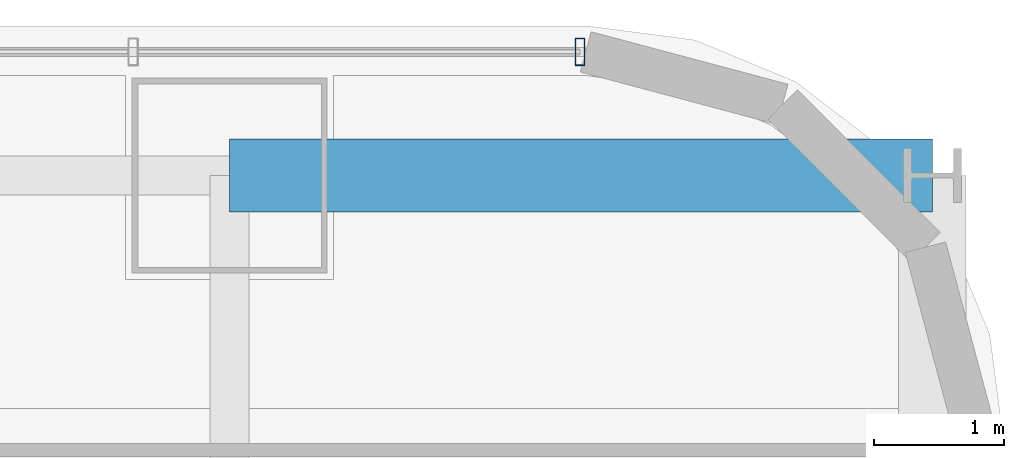
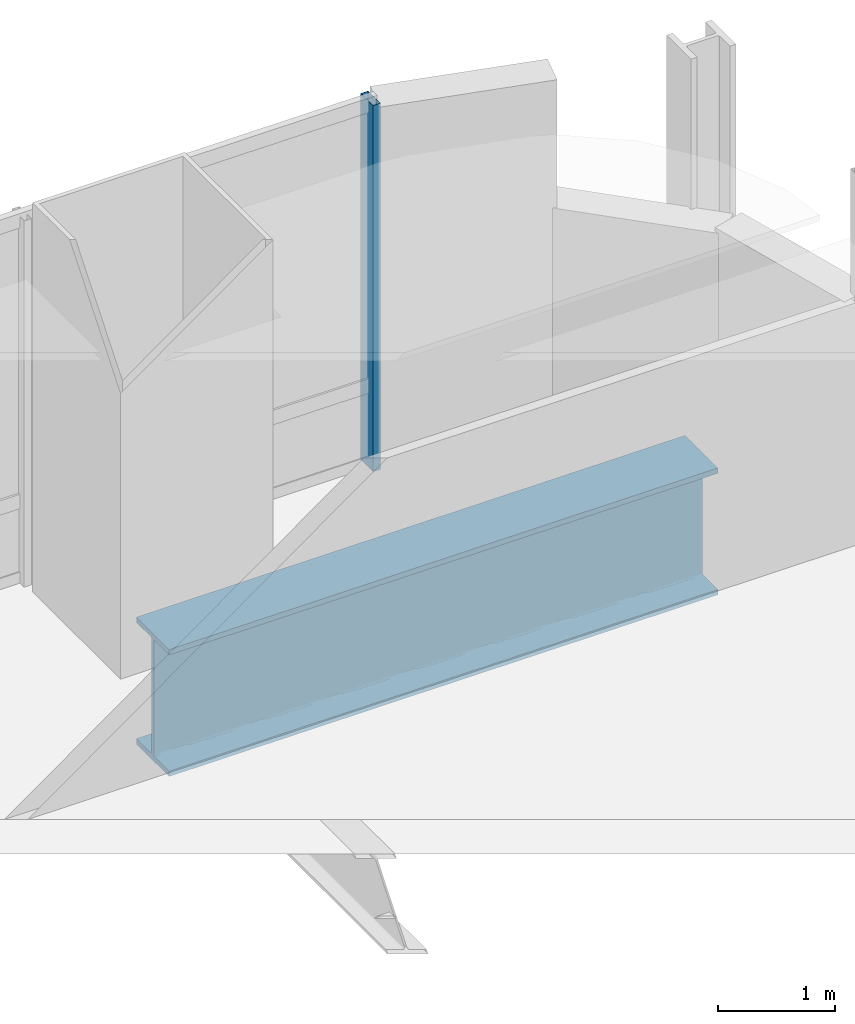
# One storey, part 24 of 40: 1 beam, 1 member, 1 element without a shape of its own.
"""IFC4 building model written with IfcOpenShell, lengths in metres."""

import ifcopenshell
import ifcopenshell.guid

model = None  # the IFC model being written
_history = None  # IfcOwnerHistory: only IFC2X3 demands one
_inside = {}  # id of a spatial element -> (the spatial element, [elements in it])
_under = {}  # id of a project, library or spatial element -> (it, [spatial elements below it])
_declared = {}  # id of a project -> (the project, [libraries it declares])
_typed = {}  # id of a type object -> (the type object, [elements of that type])
_made_of = {}  # id of a material, layer set ... -> (it, [elements and type objects made of it])


def new_model(schema):
    """Start an empty IFC model of exactly this schema.

    Asked for "IFC4X3", IfcOpenShell would pick the latest addendum, in which some entities
    have other attributes; the version numbers below select the first issue.
    IFC2X3 requires an IfcOwnerHistory on every rooted entity: one is made here for all.
    """
    global model, _history
    if schema == "IFC4X3":
        model = ifcopenshell.file(schema_version=(4, 3, 0, 0))
    else:
        model = ifcopenshell.file(schema=schema)
    _inside.clear()
    _under.clear()
    _declared.clear()
    _typed.clear()
    _made_of.clear()
    _history = None
    if model.schema == "IFC2X3":
        org = make("IfcOrganization", Name="unknown")
        user = make(
            "IfcPersonAndOrganization",
            ThePerson=make("IfcPerson", FamilyName="unknown"),
            TheOrganization=org,
        )
        app = make(
            "IfcApplication",
            ApplicationDeveloper=org,
            Version="unknown",
            ApplicationFullName="unknown",
            ApplicationIdentifier="unknown",
        )
        _history = make(
            "IfcOwnerHistory",
            OwningUser=user,
            OwningApplication=app,
            ChangeAction="ADDED",
            CreationDate=0,
        )
    return model


def make(cls, **values):
    """One entity of the class cls with the attributes given. An attribute that is None is left unset."""
    return model.create_entity(
        cls, **{name: value for name, value in values.items() if value is not None}
    )


def rooted(cls, **values):
    """An entity with a GlobalId (a new one), such as an element, a storey or a relation."""
    return make(cls, GlobalId=ifcopenshell.guid.new(), OwnerHistory=_history, **values)


def si_unit(unit_type, name, prefix=None):
    """IfcSIUnit, for example si_unit("LENGTHUNIT", "METRE", prefix="MILLI")."""
    return make("IfcSIUnit", UnitType=unit_type, Prefix=prefix, Name=name)


def assignment(units):
    """IfcUnitAssignment: the units of a project."""
    return None if units is None else make("IfcUnitAssignment", Units=units)


def point(xyz):
    """IfcCartesianPoint."""
    return None if xyz is None else make("IfcCartesianPoint", Coordinates=xyz)


def direction(xyz):
    """IfcDirection."""
    return None if xyz is None else make("IfcDirection", DirectionRatios=xyz)


def frame(location, z_axis=None, x_axis=None):
    """IfcAxis2Placement3D, a coordinate frame: its origin and axes. An axis left out is left unset."""
    return make(
        "IfcAxis2Placement3D",
        Location=point(location),
        Axis=direction(z_axis),
        RefDirection=direction(x_axis),
    )


def frame_2d(location, x_axis=None):
    """IfcAxis2Placement2D, a coordinate frame in the plane: its origin and x axis."""
    return make(
        "IfcAxis2Placement2D", Location=point(location), RefDirection=direction(x_axis)
    )


def origin():
    """The frame at (0, 0, 0) with its axes left unset."""
    return frame((0.0, 0.0, 0.0))


def origin_2d():
    """The frame at (0, 0) in the plane with its x axis left unset."""
    return frame_2d((0.0, 0.0))


def place(relative_to, where):
    """IfcLocalPlacement: puts the frame where relative to a parent placement (None: the world)."""
    return make(
        "IfcLocalPlacement", PlacementRelTo=relative_to, RelativePlacement=where
    )


def context(
    kind, dimensions, precision=None, world=None, true_north=None, identifier=None
):
    """IfcGeometricRepresentationContext, for example the 3D "Model" context."""
    return make(
        "IfcGeometricRepresentationContext",
        ContextIdentifier=identifier,
        ContextType=kind,
        CoordinateSpaceDimension=dimensions,
        Precision=precision,
        WorldCoordinateSystem=world,
        TrueNorth=true_north,
    )


def subcontext(parent, identifier, kind, view, scale=None):
    """IfcGeometricRepresentationSubContext, for example "Body" below "Model"."""
    return make(
        "IfcGeometricRepresentationSubContext",
        ContextIdentifier=identifier,
        ContextType=kind,
        ParentContext=parent,
        TargetScale=scale,
        TargetView=view,
    )


def project(units=None, contexts=None):
    """IfcProject with its units and contexts."""
    return rooted(
        "IfcProject",
        Name="project",
        RepresentationContexts=contexts,
        UnitsInContext=assignment(units),
    )


def spatial(cls, under=None, at=None, **own):
    """A site, building, storey or space (cls), placed at a placement, below another one or the project."""
    s = rooted(cls, ObjectPlacement=at, **own)
    if under is not None:
        _under.setdefault(under.id(), (under, []))[1].append(s)
    return s


def profile(cls, at=None, kind="AREA", **sizes):
    """A parametric profile (cls). Its sizes go by their IFC names, for example OverallWidth=200.0."""
    return make(cls, ProfileType=kind, Position=at, **sizes)


def hollow_rectangle(**sizes):
    """IfcRectangleHollowProfileDef."""
    return profile("IfcRectangleHollowProfileDef", **sizes)


def i_section(**sizes):
    """IfcIShapeProfileDef."""
    return profile("IfcIShapeProfileDef", **sizes)


def extrude(swept, where, along, depth):
    """IfcExtrudedAreaSolid: the profile swept, set in the frame where, extruded along a direction by depth."""
    return make(
        "IfcExtrudedAreaSolid",
        SweptArea=swept,
        Position=where,
        ExtrudedDirection=direction(along),
        Depth=depth,
    )


def shape(context_of_items, identifier, shape_type, items):
    """IfcShapeRepresentation: the items that make up one representation, for example the "Body"."""
    return make(
        "IfcShapeRepresentation",
        ContextOfItems=context_of_items,
        RepresentationIdentifier=identifier,
        RepresentationType=shape_type,
        Items=items,
    )


def material(Name=None, Category=None):
    """IfcMaterial."""
    return make("IfcMaterial", Name=Name, Category=Category)


def material_profile(
    of_material, cross_section, Name=None, Category=None, Priority=None
):
    """IfcMaterialProfile: a cross section and its material."""
    return make(
        "IfcMaterialProfile",
        Name=Name,
        Material=of_material,
        Profile=cross_section,
        Priority=Priority,
        Category=Category,
    )


def profile_set(profiles, Name=None, composite=None):
    """IfcMaterialProfileSet."""
    return make(
        "IfcMaterialProfileSet",
        Name=Name,
        MaterialProfiles=profiles,
        CompositeProfile=composite,
    )


def made_of(thing, what):
    """Note that an element or type object is made of a material, layer set ...; save() writes the relation."""
    if what is not None:
        _made_of.setdefault(what.id(), (what, []))[1].append(thing)
    return thing


def type_object(cls, material=None, **own):
    """A type object (cls), such as IfcWallType, which elements share."""
    return made_of(rooted(cls, **own), material)


def element(
    cls,
    number,
    at=None,
    inside=None,
    cuts=None,
    type_object=None,
    material=None,
    context=None,
    identifier="Body",
    shape_type=None,
    held_by="IfcProductDefinitionShape",
    body=None,
    shapes=None,
    **own,
):
    """One element of the class cls, such as IfcWall. Its Tag is "e" and its number.

    at: its placement. inside: the storey or other place that contains it. cuts: it is an
    opening in that element (IfcRelVoidsElement). A single representation is given by context,
    identifier, shape_type and body (its items); several are given by shapes. held_by: the class
    of the entity that holds the representations. save() writes the other relations.
    """
    e = rooted(cls, Tag="e%d" % number, ObjectPlacement=at, **own)
    if body is not None:
        shapes = [shape(context, identifier, shape_type, body)]
    if shapes is not None:
        e.Representation = make(held_by, Representations=shapes)
    if inside is not None:
        _inside.setdefault(inside.id(), (inside, []))[1].append(e)
    if cuts is not None:
        rooted(
            "IfcRelVoidsElement", RelatingBuildingElement=cuts, RelatedOpeningElement=e
        )
    if type_object is not None:
        _typed.setdefault(type_object.id(), (type_object, []))[1].append(e)
    return made_of(e, material)


def aggregate(whole, parts):
    """IfcRelAggregates: a whole, such as a stair, and the parts it consists of."""
    return rooted("IfcRelAggregates", RelatingObject=whole, RelatedObjects=parts)


def save(model, path):
    """Write the relations noted so far, then the file.

    IfcRelAggregates (storeys below a building ...), IfcRelContainedInSpatialStructure (elements
    in a storey), IfcRelDefinesByType, IfcRelAssociatesMaterial and IfcRelDeclares: one each for
    every whole, place, type object, material and project.
    """
    for whole, parts in _under.values():
        aggregate(whole, parts)
    for where, things in _inside.values():
        rooted(
            "IfcRelContainedInSpatialStructure",
            RelatedElements=things,
            RelatingStructure=where,
        )
    for kind, things in _typed.values():
        rooted("IfcRelDefinesByType", RelatedObjects=things, RelatingType=kind)
    for what, things in _made_of.values():
        rooted("IfcRelAssociatesMaterial", RelatedObjects=things, RelatingMaterial=what)
    for by, libraries in _declared.values():
        rooted("IfcRelDeclares", RelatingContext=by, RelatedDefinitions=libraries)
    model.write(path)


model = new_model("IFC4")

# Units and contexts
model_context = context("Model", 3, precision=1e-05, world=origin(), true_north=direction((0.0, 1.0)))
body_context = subcontext(model_context, "Body", "Model", "MODEL_VIEW")
ifc_project = project(units=[si_unit("LENGTHUNIT", "METRE"), si_unit("AREAUNIT", "SQUARE_METRE"), si_unit("VOLUMEUNIT", "CUBIC_METRE"), si_unit("PLANEANGLEUNIT", "RADIAN"), si_unit("MASSUNIT", "GRAM", prefix="KILO")], contexts=[model_context])

# Site, building, storey
site_placement = place(None, origin())
site = spatial("IfcSite", under=ifc_project, at=site_placement, CompositionType="ELEMENT")
building_placement = place(site_placement, origin())
building = spatial("IfcBuilding", under=site, at=building_placement, Name="Punatoya Terracotta Tower", CompositionType="ELEMENT")
storey_placement = place(building_placement, frame((0.0, 0.0, 76.800048828125)))
storey = spatial("IfcBuildingStorey", under=building, at=storey_placement, Name="L17", CompositionType="ELEMENT", Elevation=76.800048828125)

# Beam
ifc_material_1 = material(Name="Steel S460", Category="steel")
ifc_material_profile_1 = material_profile(ifc_material_1, i_section(OverallWidth=0.56005859375, OverallDepth=1.320068359375, WebThickness=0.035888671875, FlangeThickness=0.054931640625, FilletRadius=0.01806640625, at=origin_2d()))
ifc_profile_set_1 = profile_set([ifc_material_profile_1], Name="Steel S460")
beam_type = type_object("IfcBeamType", Name="BM-TG-BLK", PredefinedType="BEAM", material=ifc_profile_set_1)
beam_placement = place(storey_placement, frame((19.10009765625, 17.5, -0.900146484375), z_axis=(1.0, 0.0, 0.0), x_axis=(0.0, 1.0, 0.0)))
element("IfcBeam", 1, at=beam_placement, inside=storey, type_object=beam_type, Name="BM-L17-CANT-E4", PredefinedType="BEAM", context=body_context, shape_type="SweptSolid", body=[
    extrude(i_section(OverallWidth=0.56005859375, OverallDepth=1.320068359375, WebThickness=0.035888671875, FlangeThickness=0.054931640625, FilletRadius=0.01806640625, at=origin_2d()), origin(), (0.0, 0.0, 1.0), 5.39990234375),
])

# Curtain wall, member
ifc_material_2 = material(Name="Aluminium 6063-T6 + Double Low-E Glass", Category="aluminium")
curtain_wall_type = type_object("IfcCurtainWallType", Name="CW-M1", PredefinedType="NOTDEFINED", material=ifc_material_2)
curtain_wall_placement = place(storey_placement, origin())
curtain_wall = element("IfcCurtainWall", 2, at=curtain_wall_placement, inside=storey, type_object=curtain_wall_type, Name="L17 Curtain Wall CW-L17-N09-1", PredefinedType="NOTDEFINED")
ifc_material_3 = material(Name="Aluminium 6063-T6", Category="aluminium")
ifc_material_profile_2 = material_profile(ifc_material_3, hollow_rectangle(XDim=0.074951171875, YDim=0.2099609375, WallThickness=0.00439453125, at=origin_2d()))
ifc_profile_set_2 = profile_set([ifc_material_profile_2], Name="Aluminium 6063-T6")
member_type = type_object("IfcMemberType", Name="CW-MUL-M1", PredefinedType="MULLION", material=ifc_profile_set_2)
member_placement = place(storey_placement, frame((21.7919921875, 18.449951171875, 0.0), z_axis=(0.0, 0.0, 1.0), x_axis=(1.0, 0.0, 0.0)))
member = element("IfcMember", 3, at=member_placement, type_object=member_type, Name="CW-L17-N09-1 Mullion 00", PredefinedType="MULLION", context=body_context, shape_type="SweptSolid", body=[
    extrude(hollow_rectangle(XDim=0.074951171875, YDim=0.2099609375, WallThickness=0.00439453125, at=origin_2d()), origin(), (0.0, 0.0, 1.0), 3.81005859375),
])
aggregate(curtain_wall, [member])

save(model, "model.ifc")
